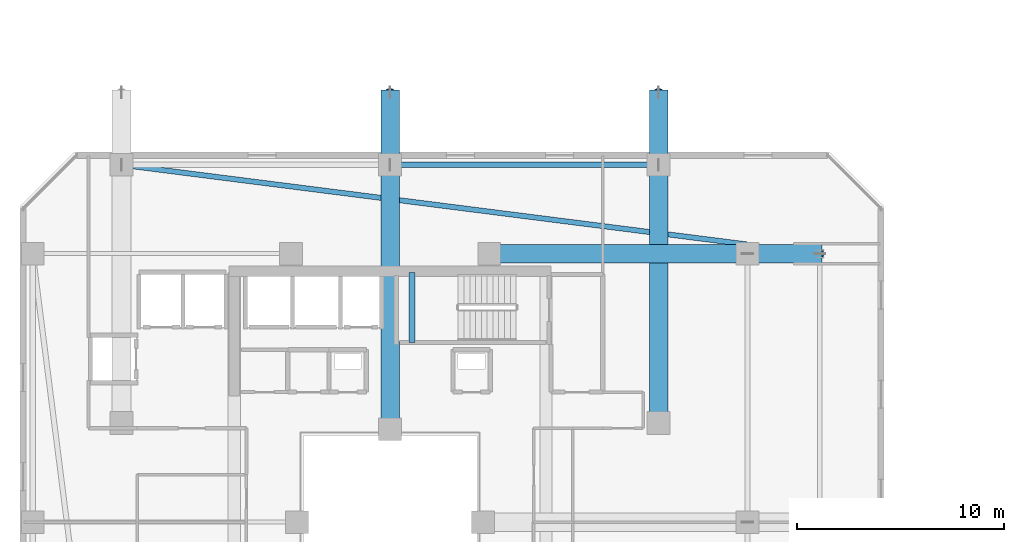
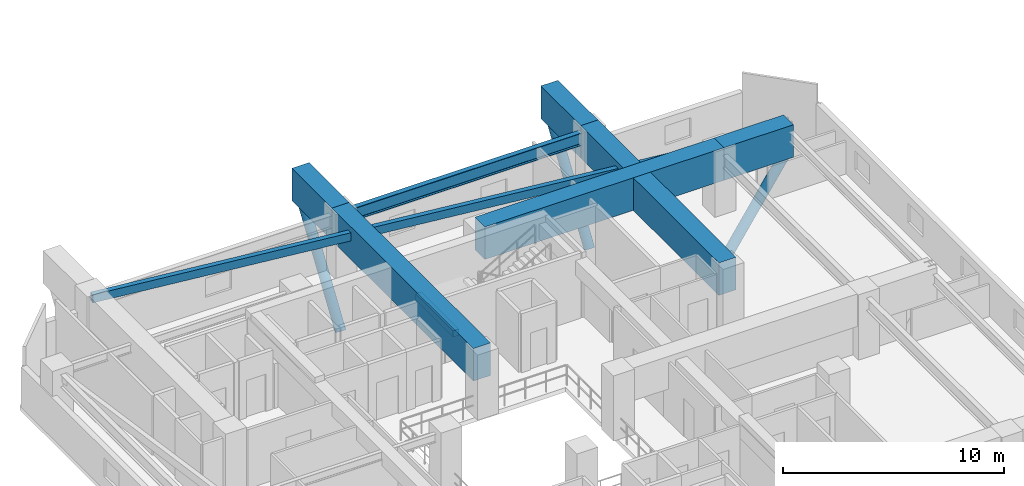
# One storey, part 9 of 36: 9 beams, 3 members.
"""IFC4 building model written with IfcOpenShell, lengths in metres."""

from ifc_helpers import new_model, si_unit, direction, frame, origin, origin_2d, place, context, subcontext, project, spatial, rectangle, hollow_rectangle, hollow_circle, i_section, extrude, material, material_profile, profile_set, type_object, element, save


model = new_model("IFC4")

# Units and contexts
model_context = context("Model", 3, precision=1e-05, world=origin(), true_north=direction((0.0, 1.0)))
body_context = subcontext(model_context, "Body", "Model", "MODEL_VIEW")
ifc_project = project(units=[si_unit("LENGTHUNIT", "METRE"), si_unit("AREAUNIT", "SQUARE_METRE"), si_unit("VOLUMEUNIT", "CUBIC_METRE"), si_unit("PLANEANGLEUNIT", "RADIAN"), si_unit("MASSUNIT", "GRAM", prefix="KILO")], contexts=[model_context])

# Site, building, storey
site_placement = place(None, origin())
site = spatial("IfcSite", under=ifc_project, at=site_placement, CompositionType="ELEMENT")
building_placement = place(site_placement, origin())
building = spatial("IfcBuilding", under=site, at=building_placement, Name="Thornwick Lancets Civic Towers", CompositionType="ELEMENT")
storey_placement = place(building_placement, frame((0.0, 0.0, 170.699951171875)))
storey = spatial("IfcBuildingStorey", under=building, at=storey_placement, Name="L45", CompositionType="ELEMENT", Elevation=170.699951171875)

# Beams
ifc_material_1 = material(Name="Steel S355JR", Category="steel")
ifc_material_profile_1 = material_profile(ifc_material_1, i_section(OverallWidth=0.255859375, OverallDepth=0.69287109375, WebThickness=0.014404296875, FlangeThickness=0.023681640625, FilletRadius=0.01513671875, at=origin_2d()), Name="UKB 686x254x170")
ifc_profile_set_1 = profile_set([ifc_material_profile_1], Name="Steel S355JR")
beam_type_1 = type_object("IfcBeamType", Name="BM_GIRD_686_170", PredefinedType="BEAM", material=ifc_profile_set_1)
beam_1_placement = place(storey_placement, frame((25.580078125, 44.300048828125, 2.93359375), z_axis=(1.0, 0.0, 0.0), x_axis=(0.0, 1.0, 0.0)))
element("IfcBeam", 1, at=beam_1_placement, inside=storey, type_object=beam_type_1, Name="BM-SPINE-L45-A-7-8", PredefinedType="BEAM", context=body_context, shape_type="SweptSolid", body=[
    extrude(i_section(OverallWidth=0.255859375, OverallDepth=0.69287109375, WebThickness=0.014404296875, FlangeThickness=0.023681640625, FilletRadius=0.01513671875, at=origin_2d()), origin(), (0.0, 0.0, 1.0), 12.919921875),
])
ifc_material_profile_2 = material_profile(ifc_material_1, hollow_rectangle(XDim=0.25, YDim=0.449951171875, WallThickness=0.01611328125, at=origin_2d()), Name="RHS 450x250x16")
ifc_profile_set_2 = profile_set([ifc_material_profile_2], Name="Steel S355JR")
beam_type_2 = type_object("IfcBeamType", Name="BM_RING_RHS450", PredefinedType="BEAM", material=ifc_profile_set_2)
beam_2_placement = place(storey_placement, frame((42.7763671875, 40.4482421875, 3.054931640625), z_axis=(-0.992004267718, 0.126204329676, 0.0), x_axis=(-0.126204329676, -0.992004267718, 0.0)))
element("IfcBeam", 2, at=beam_2_placement, inside=storey, type_object=beam_type_2, Name="BM-CHAMF-L45-A-C1", PredefinedType="BEAM", context=body_context, shape_type="SweptSolid", body=[
    extrude(hollow_rectangle(XDim=0.25, YDim=0.449951171875, WallThickness=0.01611328125, at=origin_2d()), origin(), (0.0, 0.0, 1.0), 30.5205078125),
])
ifc_material_2 = material(Name="Concrete C40/50", Category="concrete")
ifc_material_profile_3 = material_profile(ifc_material_2, rectangle(XDim=0.300048828125, YDim=0.35009765625, at=origin_2d()), Name="RC 300x350")
ifc_profile_set_3 = profile_set([ifc_material_profile_3], Name="Concrete C40/50")
beam_type_3 = type_object("IfcBeamType", Name="BM_STAIR_LDG", PredefinedType="BEAM", material=ifc_profile_set_3)
beam_3_placement = place(storey_placement, frame((26.56494140625, 39.10009765625, 1.3779296875), z_axis=(0.0, -1.0, 0.0), x_axis=(1.0, 0.0, 0.0)))
element("IfcBeam", 3, at=beam_3_placement, inside=storey, type_object=beam_type_3, Name="L45 ST-A2 Landing Support Beam 1", PredefinedType="BEAM", context=body_context, shape_type="SweptSolid", body=[
    extrude(rectangle(XDim=0.300048828125, YDim=0.35009765625, at=origin_2d()), origin(), (0.0, 0.0, 1.0), 3.400146484375),
])
ifc_material_3 = material(Name="Concrete C60/75", Category="concrete")
ifc_material_profile_4 = material_profile(ifc_material_3, rectangle(XDim=0.89990234375, YDim=1.800048828125, at=origin_2d()), Name="RC 900x1800")
ifc_profile_set_4 = profile_set([ifc_material_profile_4], Name="Concrete C60/75")
beam_type_4 = type_object("IfcBeamType", Name="BM_TR_RC1800", PredefinedType="BEAM", material=ifc_profile_set_4)
beam_4_placement = place(storey_placement, frame((30.300048828125, 40.0, 2.699951171875), z_axis=(1.0, 0.0, 0.0), x_axis=(0.0, 1.0, 0.0)))
element("IfcBeam", 4, at=beam_4_placement, inside=storey, type_object=beam_type_4, Name="TG-BACK-L46-A06", PredefinedType="BEAM", context=body_context, shape_type="SweptSolid", body=[
    extrude(rectangle(XDim=0.89990234375, YDim=1.800048828125, at=origin_2d()), origin(), (0.0, 0.0, 1.0), 12.5),
])
beam_5_placement = place(storey_placement, frame((42.800048828125, 40.0, 2.699951171875), z_axis=(1.0, 0.0, 0.0), x_axis=(0.0, 1.0, 0.0)))
element("IfcBeam", 5, at=beam_5_placement, inside=storey, type_object=beam_type_4, Name="TG-CANT-L46-A06", PredefinedType="BEAM", context=body_context, shape_type="SweptSolid", body=[
    extrude(rectangle(XDim=0.89990234375, YDim=1.800048828125, at=origin_2d()), origin(), (0.0, 0.0, 1.0), 3.619873046875),
])
beam_6_placement = place(storey_placement, frame((25.5, 31.5, 2.699951171875), z_axis=(0.0, 1.0, 0.0), x_axis=(-1.0, 0.0, 0.0)))
element("IfcBeam", 6, at=beam_6_placement, inside=storey, type_object=beam_type_4, Name="TG-BACK-L46-A08", PredefinedType="BEAM", context=body_context, shape_type="SweptSolid", body=[
    extrude(rectangle(XDim=0.89990234375, YDim=1.800048828125, at=origin_2d()), origin(), (0.0, 0.0, 1.0), 12.800048828125),
])
beam_7_placement = place(storey_placement, frame((25.5, 44.300048828125, 2.699951171875), z_axis=(0.0, 1.0, 0.0), x_axis=(-1.0, 0.0, 0.0)))
element("IfcBeam", 7, at=beam_7_placement, inside=storey, type_object=beam_type_4, Name="TG-CANT-L46-A08", PredefinedType="BEAM", context=body_context, shape_type="SweptSolid", body=[
    extrude(rectangle(XDim=0.89990234375, YDim=1.800048828125, at=origin_2d()), origin(), (0.0, 0.0, 1.0), 3.619873046875),
])
beam_8_placement = place(storey_placement, frame((38.5, 31.800048828125, 2.699951171875), z_axis=(0.0, 1.0, 0.0), x_axis=(-1.0, 0.0, 0.0)))
element("IfcBeam", 8, at=beam_8_placement, inside=storey, type_object=beam_type_4, Name="TG-BACK-L46-A09", PredefinedType="BEAM", context=body_context, shape_type="SweptSolid", body=[
    extrude(rectangle(XDim=0.89990234375, YDim=1.800048828125, at=origin_2d()), origin(), (0.0, 0.0, 1.0), 12.5),
])
beam_9_placement = place(storey_placement, frame((38.5, 44.300048828125, 2.699951171875), z_axis=(0.0, 1.0, 0.0), x_axis=(-1.0, 0.0, 0.0)))
element("IfcBeam", 9, at=beam_9_placement, inside=storey, type_object=beam_type_4, Name="TG-CANT-L46-A09", PredefinedType="BEAM", context=body_context, shape_type="SweptSolid", body=[
    extrude(rectangle(XDim=0.89990234375, YDim=1.800048828125, at=origin_2d()), origin(), (0.0, 0.0, 1.0), 3.619873046875),
])

# Members
ifc_material_4 = material(Name="Steel S460M", Category="steel")
ifc_material_profile_5 = material_profile(ifc_material_4, hollow_circle(Radius=0.25390625, WallThickness=0.02490234375, at=origin_2d()), Name="CHS 508x25")
ifc_profile_set_5 = profile_set([ifc_material_profile_5], Name="Steel S460M")
member_type = type_object("IfcMemberType", Name="MEM_STRUT_CHS508", PredefinedType="STRUT", material=ifc_profile_set_5)
for number, where, z_axis, x_axis, name in (
    (10, (42.800048828125, 40.0, -3.349853515625), (0.556167580628, 0.0, 0.831070166868), (0.0, 1.0, 0.0), "L46 Jenga Transfer Raking Strut A06"),
    (11, (25.5, 44.300048828125, -3.349853515625), (0.0, 0.556167580628, 0.831070166868), (-1.0, 0.0, 0.0), "L46 Jenga Transfer Raking Strut A08"),
    (12, (38.5, 44.300048828125, -3.349853515625), (0.0, 0.556167580628, 0.831070166868), (-1.0, 0.0, 0.0), "L46 Jenga Transfer Raking Strut A09"),
):
    element("IfcMember", number, at=place(storey_placement, frame(where, z_axis=z_axis, x_axis=x_axis)), inside=storey, type_object=member_type, Name=name, PredefinedType="STRUT", context=body_context, shape_type="SweptSolid", body=[
        extrude(hollow_circle(Radius=0.25390625, WallThickness=0.02490234375, at=origin_2d()), origin(), (0.0, 0.0, 1.0), 6.29296875),
    ])

save(model, "model.ifc")
